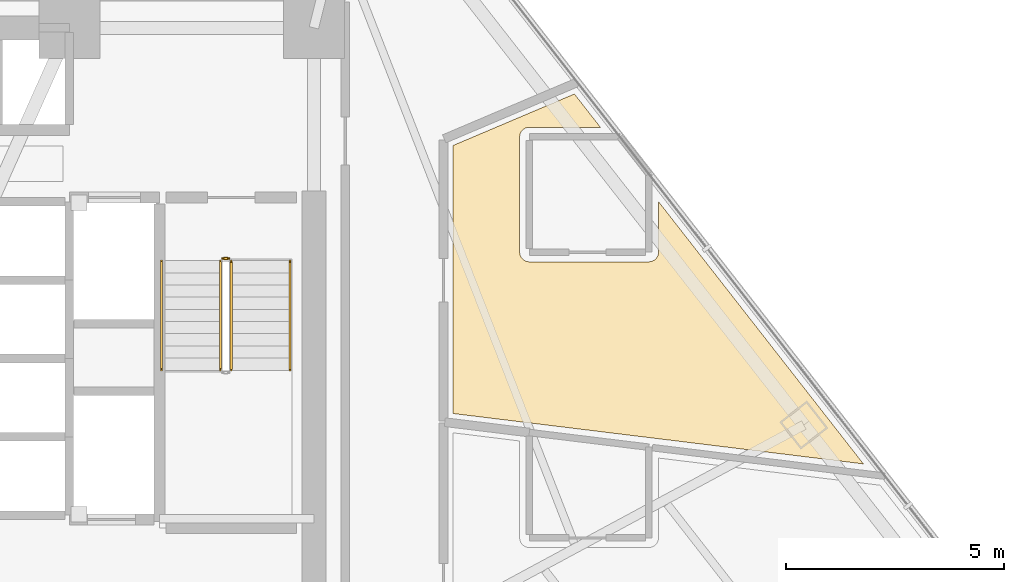
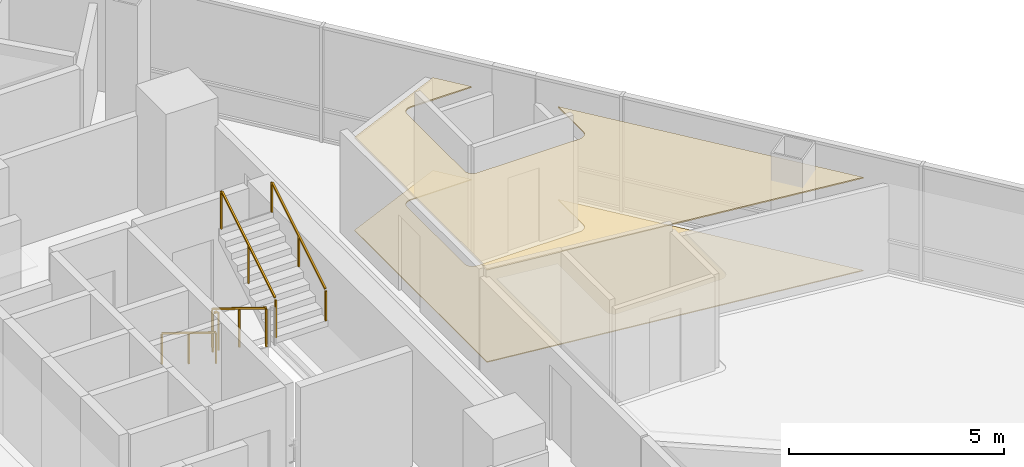
# One storey, part 14 of 15: 5 railings, 2 coverings.
"""IFC4 building model written with IfcOpenShell, lengths in metres."""

from ifc_helpers import new_model, si_unit, direction, frame, origin, origin_2d, place, context, subcontext, project, spatial, polyline, rectangle, outline, extrude, material, layer, layer_set, type_object, element, save


model = new_model("IFC4")

# Units and contexts
model_context = context("Model", 3, precision=1e-05, world=origin(), true_north=direction((0.0, 1.0)))
body_context = subcontext(model_context, "Body", "Model", "MODEL_VIEW")
ifc_project = project(units=[si_unit("LENGTHUNIT", "METRE"), si_unit("AREAUNIT", "SQUARE_METRE"), si_unit("VOLUMEUNIT", "CUBIC_METRE"), si_unit("PLANEANGLEUNIT", "RADIAN"), si_unit("MASSUNIT", "GRAM", prefix="KILO")], contexts=[model_context])

# Site, building, storey
site_placement = place(None, origin())
site = spatial("IfcSite", under=ifc_project, at=site_placement, CompositionType="ELEMENT")
building_placement = place(site_placement, origin())
building = spatial("IfcBuilding", under=site, at=building_placement, Name="Tharavind Bronze Gate", CompositionType="ELEMENT")
storey_placement = place(building_placement, frame((0.0, 0.0, 74.199951171875)))
storey = spatial("IfcBuildingStorey", under=building, at=storey_placement, Name="L18", CompositionType="ELEMENT", Elevation=74.199951171875)

# Coverings
ifc_material_1 = material(Name="Engineered Oak & Carpet Tile", Category="wood")
ifc_layer_1 = layer(ifc_material_1, 0.02490234375)
ifc_layer_set_1 = layer_set([ifc_layer_1], Name="Engineered Oak & Carpet Tile")
covering_type_1 = type_object("IfcCoveringType", Name="ENGINEERED TIMBER FLOORING", PredefinedType="FLOORING", material=ifc_layer_set_1)
covering_1_placement = place(storey_placement, origin())
element("IfcCovering", 1, at=covering_1_placement, inside=storey, type_object=covering_type_1, Name="L18-RM-11 floor finish", PredefinedType="FLOORING", context=body_context, shape_type="SweptSolid", body=[
    extrude(outline(polyline([(21.530029296875, -2.421875), (16.820068359375, 3.606689453125), (16.820068359375, 2.443603515625), (16.81884765625, 2.422119140625), (16.81591796875, 2.40087890625), (16.810546875, 2.3798828125), (16.80322265625, 2.359619140625), (16.7939453125, 2.340087890625), (16.782958984375, 2.321533203125), (16.77001953125, 2.30419921875), (16.755615234375, 2.2880859375), (16.739501953125, 2.273681640625), (16.72216796875, 2.2607421875), (16.70361328125, 2.249755859375), (16.68408203125, 2.240478515625), (16.663818359375, 2.233154296875), (16.642822265625, 2.227783203125), (16.62158203125, 2.224853515625), (16.60009765625, 2.2236328125), (13.85009765625, 2.2236328125), (13.828369140625, 2.224853515625), (13.80712890625, 2.227783203125), (13.7861328125, 2.233154296875), (13.765869140625, 2.240478515625), (13.746337890625, 2.249755859375), (13.727783203125, 2.2607421875), (13.71044921875, 2.273681640625), (13.6943359375, 2.2880859375), (13.679931640625, 2.30419921875), (13.6669921875, 2.321533203125), (13.656005859375, 2.340087890625), (13.646728515625, 2.359619140625), (13.639404296875, 2.3798828125), (13.63427734375, 2.40087890625), (13.631103515625, 2.422119140625), (13.6298828125, 2.443603515625), (13.6298828125, 5.09375), (13.631103515625, 5.115234375), (13.63427734375, 5.13671875), (13.639404296875, 5.15771484375), (13.646728515625, 5.177978515625), (13.656005859375, 5.197509765625), (13.6669921875, 5.2158203125), (13.679931640625, 5.2333984375), (13.6943359375, 5.249267578125), (13.71044921875, 5.263916015625), (13.727783203125, 5.276611328125), (13.746337890625, 5.28759765625), (13.765869140625, 5.297119140625), (13.7861328125, 5.30419921875), (13.80712890625, 5.3095703125), (13.828369140625, 5.3125), (13.85009765625, 5.313720703125), (15.486328125, 5.313720703125), (14.887451171875, 6.080322265625), (12.10009765625, 4.897216796875), (12.10009765625, -1.263916015625), (21.530029296875, -2.421875)])), origin(), (0.0, 0.0, 1.0), 0.025146484375),
])
ifc_material_2 = material(Name="Acoustic Gypsum Board", Category="gypsum")
ifc_layer_2 = layer(ifc_material_2, 0.030029296875)
ifc_layer_set_2 = layer_set([ifc_layer_2], Name="Acoustic Gypsum Board")
covering_type_2 = type_object("IfcCoveringType", Name="GYPSUM SUSPENDED CEILING", PredefinedType="CEILING", material=ifc_layer_set_2)
covering_2_placement = place(storey_placement, frame((0.0, 0.0, 2.625)))
element("IfcCovering", 2, at=covering_2_placement, inside=storey, type_object=covering_type_2, Name="L18-RM-11 suspended ceiling", PredefinedType="CEILING", context=body_context, shape_type="SweptSolid", body=[
    extrude(outline(polyline([(21.530029296875, -2.421875), (16.820068359375, 3.606689453125), (16.820068359375, 2.443603515625), (16.81884765625, 2.422119140625), (16.81591796875, 2.40087890625), (16.810546875, 2.3798828125), (16.80322265625, 2.359619140625), (16.7939453125, 2.340087890625), (16.782958984375, 2.321533203125), (16.77001953125, 2.30419921875), (16.755615234375, 2.2880859375), (16.739501953125, 2.273681640625), (16.72216796875, 2.2607421875), (16.70361328125, 2.249755859375), (16.68408203125, 2.240478515625), (16.663818359375, 2.233154296875), (16.642822265625, 2.227783203125), (16.62158203125, 2.224853515625), (16.60009765625, 2.2236328125), (13.85009765625, 2.2236328125), (13.828369140625, 2.224853515625), (13.80712890625, 2.227783203125), (13.7861328125, 2.233154296875), (13.765869140625, 2.240478515625), (13.746337890625, 2.249755859375), (13.727783203125, 2.2607421875), (13.71044921875, 2.273681640625), (13.6943359375, 2.2880859375), (13.679931640625, 2.30419921875), (13.6669921875, 2.321533203125), (13.656005859375, 2.340087890625), (13.646728515625, 2.359619140625), (13.639404296875, 2.3798828125), (13.63427734375, 2.40087890625), (13.631103515625, 2.422119140625), (13.6298828125, 2.443603515625), (13.6298828125, 5.09375), (13.631103515625, 5.115234375), (13.63427734375, 5.13671875), (13.639404296875, 5.15771484375), (13.646728515625, 5.177978515625), (13.656005859375, 5.197509765625), (13.6669921875, 5.2158203125), (13.679931640625, 5.2333984375), (13.6943359375, 5.249267578125), (13.71044921875, 5.263916015625), (13.727783203125, 5.276611328125), (13.746337890625, 5.28759765625), (13.765869140625, 5.297119140625), (13.7861328125, 5.30419921875), (13.80712890625, 5.3095703125), (13.828369140625, 5.3125), (13.85009765625, 5.313720703125), (15.486328125, 5.313720703125), (14.887451171875, 6.080322265625), (12.10009765625, 4.897216796875), (12.10009765625, -1.263916015625), (21.530029296875, -2.421875)])), origin(), (0.0, 0.0, 1.0), 0.03515625),
])

# Railings
ifc_material_3 = material(Name="Brushed Bronze Alloy", Category="metal")
railing_type_1 = type_object("IfcRailingType", Name="STAIR BRONZE HANDRAIL 900", PredefinedType="HANDRAIL", material=ifc_material_3)
railing_1_placement = place(storey_placement, frame((5.39990234375, 2.25, 0.172607421875)))
element("IfcRailing", 3, at=railing_1_placement, inside=storey, type_object=railing_type_1, Name="L18 ST2 stair handrail 1", PredefinedType="HANDRAIL", context=body_context, shape_type="SweptSolid", body=[
    extrude(rectangle(XDim=0.048095703125, YDim=0.048095703125, at=origin_2d()), frame((0.0, -0.02734375, 0.892578125), z_axis=(0.0, -0.851400495292, 0.524516154772), x_axis=(1.0, 0.0, 0.0)), (0.0, 0.0, 1.0), 2.895751953125),
    extrude(rectangle(XDim=0.0400390625, YDim=0.0400390625, at=origin_2d()), origin(), (0.0, 0.0, 1.0), 0.847900390625),
    extrude(rectangle(XDim=0.0400390625, YDim=0.0400390625, at=origin_2d()), frame((0.0, -1.260009765625, 0.7763671875)), (0.0, 0.0, 1.0), 0.847900390625),
    extrude(rectangle(XDim=0.0400390625, YDim=0.0400390625, at=origin_2d()), frame((0.0, -2.52001953125, 1.552490234375)), (0.0, 0.0, 1.0), 0.847900390625),
])
railing_2_placement = place(storey_placement, frame((8.35009765625, -0.27001953125, 1.8974609375)))
element("IfcRailing", 4, at=railing_2_placement, inside=storey, type_object=railing_type_1, Name="L18 ST2 stair handrail 2", PredefinedType="HANDRAIL", context=body_context, shape_type="SweptSolid", body=[
    extrude(rectangle(XDim=0.048095703125, YDim=0.048095703125, at=origin_2d()), frame((0.0, 0.02734375, 0.892578125), z_axis=(0.0, 0.851400495292, 0.524516154772), x_axis=(-1.0, 0.0, 0.0)), (0.0, 0.0, 1.0), 2.895751953125),
    extrude(rectangle(XDim=0.0400390625, YDim=0.0400390625, at=origin_2d()), origin(), (0.0, 0.0, 1.0), 0.847900390625),
    extrude(rectangle(XDim=0.0400390625, YDim=0.0400390625, at=origin_2d()), frame((0.0, 1.260009765625, 0.7763671875)), (0.0, 0.0, 1.0), 0.847900390625),
    extrude(rectangle(XDim=0.0400390625, YDim=0.0400390625, at=origin_2d()), frame((0.0, 2.52001953125, 1.552490234375)), (0.0, 0.0, 1.0), 0.847900390625),
])
railing_type_2 = type_object("IfcRailingType", Name="STAIR WELL GUARD RAILING 1120", PredefinedType="GUARDRAIL", material=ifc_material_3)
railing_3_placement = place(storey_placement, frame((6.75, 2.25, 0.172607421875)))
element("IfcRailing", 5, at=railing_3_placement, inside=storey, type_object=railing_type_2, Name="L18 ST2 stair guard 1", PredefinedType="GUARDRAIL", context=body_context, shape_type="SweptSolid", body=[
    extrude(rectangle(XDim=0.048095703125, YDim=0.048095703125, at=origin_2d()), frame((0.0, -0.02734375, 1.11279296875), z_axis=(0.0, -0.851400495292, 0.524516154772), x_axis=(1.0, 0.0, 0.0)), (0.0, 0.0, 1.0), 2.895751953125),
    extrude(rectangle(XDim=0.0400390625, YDim=0.0400390625, at=origin_2d()), origin(), (0.0, 0.0, 1.0), 1.068115234375),
    extrude(rectangle(XDim=0.0400390625, YDim=0.0400390625, at=origin_2d()), frame((0.0, -1.260009765625, 0.7763671875)), (0.0, 0.0, 1.0), 1.068115234375),
    extrude(rectangle(XDim=0.0400390625, YDim=0.0400390625, at=origin_2d()), frame((0.0, -2.52001953125, 1.552490234375)), (0.0, 0.0, 1.0), 1.068115234375),
])
railing_4_placement = place(storey_placement, frame((7.0, -0.27001953125, 1.8974609375)))
element("IfcRailing", 6, at=railing_4_placement, inside=storey, type_object=railing_type_2, Name="L18 ST2 stair guard 3", PredefinedType="GUARDRAIL", context=body_context, shape_type="SweptSolid", body=[
    extrude(rectangle(XDim=0.048095703125, YDim=0.048095703125, at=origin_2d()), frame((0.0, 0.02734375, 1.11279296875), z_axis=(0.0, 0.851400495292, 0.524516154772), x_axis=(-1.0, 0.0, 0.0)), (0.0, 0.0, 1.0), 2.895751953125),
    extrude(rectangle(XDim=0.0400390625, YDim=0.0400390625, at=origin_2d()), origin(), (0.0, 0.0, 1.0), 1.068115234375),
    extrude(rectangle(XDim=0.0400390625, YDim=0.0400390625, at=origin_2d()), frame((0.0, 1.260009765625, 0.7763671875)), (0.0, 0.0, 1.0), 1.068115234375),
    extrude(rectangle(XDim=0.0400390625, YDim=0.0400390625, at=origin_2d()), frame((0.0, 2.52001953125, 1.552490234375)), (0.0, 0.0, 1.0), 1.068115234375),
])
railing_5_placement = place(storey_placement, frame((6.800048828125, 2.300048828125, 0.0)))
element("IfcRailing", 7, at=railing_5_placement, inside=storey, type_object=railing_type_2, Name="L18 ST2 stair guard 4", PredefinedType="GUARDRAIL", context=body_context, shape_type="SweptSolid", body=[
    extrude(rectangle(XDim=0.048095703125, YDim=0.048095703125, at=origin_2d()), frame((0.031982421875, 0.0, 1.09619140625), z_axis=(1.0, 0.0, 0.0), x_axis=(0.0, 1.0, 0.0)), (0.0, 0.0, 1.0), 0.0859375),
    extrude(rectangle(XDim=0.0400390625, YDim=0.0400390625, at=origin_2d()), origin(), (0.0, 0.0, 1.0), 1.068115234375),
    extrude(rectangle(XDim=0.0400390625, YDim=0.0400390625, at=origin_2d()), frame((0.14990234375, 0.0, 0.0)), (0.0, 0.0, 1.0), 1.068115234375),
])

save(model, "model.ifc")
